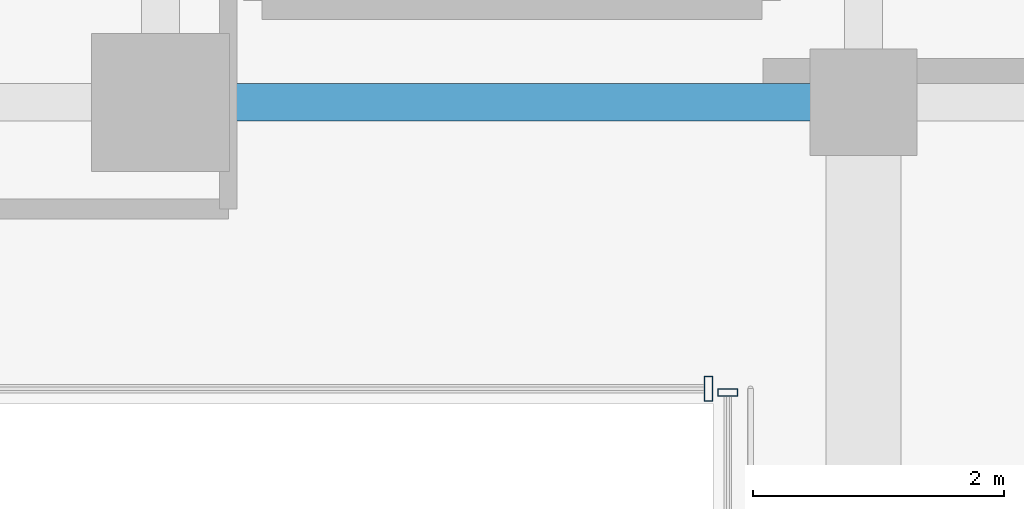
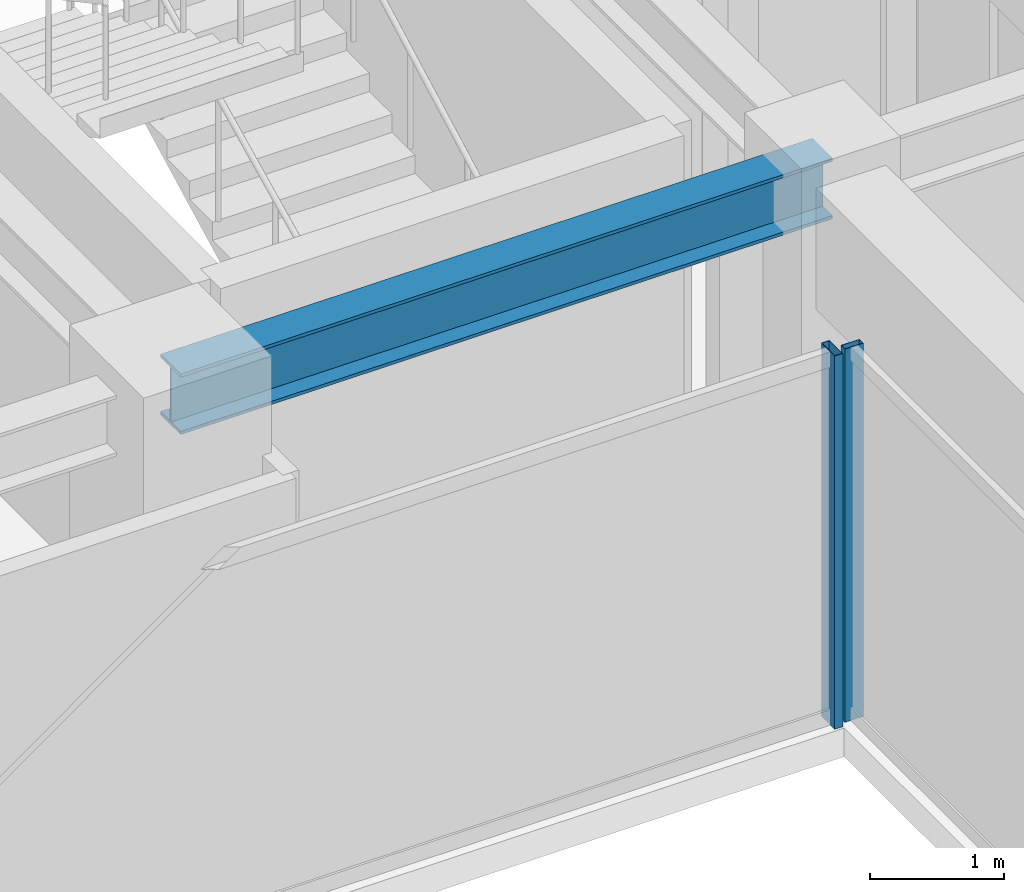
# One storey, part 13 of 41: 2 members, 1 beam, 2 elements without a shape of their own.
"""IFC4 building model written with IfcOpenShell, lengths in metres."""

from ifc_helpers import new_model, si_unit, direction, frame, origin, origin_2d, place, context, subcontext, project, spatial, hollow_rectangle, i_section, extrude, source, transform, mapped, material, material_profile, profile_set, type_object, element, aggregate, save


model = new_model("IFC4")

# Units and contexts
model_context = context("Model", 3, precision=1e-05, world=origin(), true_north=direction((0.0, 1.0)))
body_context = subcontext(model_context, "Body", "Model", "MODEL_VIEW")
ifc_project = project(units=[si_unit("LENGTHUNIT", "METRE"), si_unit("AREAUNIT", "SQUARE_METRE"), si_unit("VOLUMEUNIT", "CUBIC_METRE"), si_unit("PLANEANGLEUNIT", "RADIAN"), si_unit("MASSUNIT", "GRAM", prefix="KILO")], contexts=[model_context])

# Site, building, storey
site_placement = place(None, origin())
site = spatial("IfcSite", under=ifc_project, at=site_placement, CompositionType="ELEMENT")
building_placement = place(site_placement, origin())
building = spatial("IfcBuilding", under=site, at=building_placement, Name="Nahalor Promenade Grand Hotel", CompositionType="ELEMENT")
storey_placement = place(building_placement, frame((0.0, 0.0, 159.949951171875)))
storey = spatial("IfcBuildingStorey", under=building, at=storey_placement, Name="L40", CompositionType="ELEMENT", Elevation=159.949951171875)

# Beam
ifc_material_1 = material(Name="Steel S355JR", Category="steel")
ifc_material_profile_1 = material_profile(ifc_material_1, i_section(OverallWidth=0.3, OverallDepth=0.55, WebThickness=0.015, FlangeThickness=0.029, at=origin_2d()), Name="HEB 550")
ifc_profile_set_1 = profile_set([ifc_material_profile_1], Name="Steel S355JR")
beam_type = type_object("IfcBeamType", Name="Beam-Girder-HEB550", PredefinedType="BEAM", material=ifc_profile_set_1)
shared_shape_1 = source(origin(), body_context, "Body", "SweptSolid", [
    extrude(i_section(OverallWidth=0.3, OverallDepth=0.55, WebThickness=0.015, FlangeThickness=0.029, at=origin_2d()), origin(), (0.0, 0.0, 1.0), 5.599853515625),
])
beam_placement = place(storey_placement, frame((2.800048828125, 5.39990234375, 3.114990234375), z_axis=(1.0, 0.0, 0.0), x_axis=(0.0, 1.0, 0.0)))
element("IfcBeam", 1, at=beam_placement, inside=storey, type_object=beam_type, Name="BM-L40-GX-2-4", PredefinedType="BEAM", context=body_context, shape_type="MappedRepresentation", body=[
    mapped(shared_shape_1, transform((0.0, 0.0, 0.0), scale=1.0)),
])

# Curtain wall, member
ifc_material_2 = material(Name="Anodised Bronze Aluminium EN AW-6063 T6", Category="aluminium")
curtain_wall_type_1 = type_object("IfcCurtainWallType", Name="CW3 Elliptical-Void Collar Unitised Curtain Wall", PredefinedType="USERDEFINED", material=ifc_material_2)
curtain_wall_1_placement = place(storey_placement, origin())
curtain_wall_1 = element("IfcCurtainWall", 2, at=curtain_wall_1_placement, inside=storey, type_object=curtain_wall_type_1, Name="L40 Curtain Wall CW-L40-VOID-WN1", ObjectType="UNITISED_CURTAIN_WALL", PredefinedType="USERDEFINED")
ifc_material_profile_2 = material_profile(ifc_material_2, hollow_rectangle(XDim=0.07, YDim=0.2, WallThickness=0.005, at=origin_2d()), Name="CWM 70x200x5")
ifc_profile_set_2 = profile_set([ifc_material_profile_2], Name="Anodised Bronze Aluminium EN AW-6063 T6")
member_type_1 = type_object("IfcMemberType", Name="CWM3 Void Collar Mullion 70x200", PredefinedType="MULLION", material=ifc_profile_set_2)
shared_shape_2 = source(origin(), body_context, "Body", "SweptSolid", [
    extrude(hollow_rectangle(XDim=0.07, YDim=0.2, WallThickness=0.005, at=origin_2d()), origin(), (0.0, 0.0, 1.0), 3.39013671875),
])
member_1_placement = place(storey_placement, frame((7.1650390625, 3.118896484375, 0.0), z_axis=(0.0, 0.0, 1.0), x_axis=(1.0, 0.0, 0.0)))
member_1 = element("IfcMember", 3, at=member_1_placement, type_object=member_type_1, Name="CW-L40-VOID-WN1 Mullion 3", PredefinedType="MULLION", context=body_context, shape_type="MappedRepresentation", body=[
    mapped(shared_shape_2, transform((0.0, 0.0, 0.0), scale=1.0)),
])
aggregate(curtain_wall_1, [member_1])

curtain_wall_type_2 = type_object("IfcCurtainWallType", Name="CW4 Low-Iron Sky-Gallery Bridge Curtain Wall", PredefinedType="USERDEFINED", material=ifc_material_2)
curtain_wall_2_placement = place(storey_placement, origin())
curtain_wall_2 = element("IfcCurtainWall", 4, at=curtain_wall_2_placement, inside=storey, type_object=curtain_wall_type_2, Name="L40 Curtain Wall CW-L40-BRG-W", ObjectType="UNITISED_CURTAIN_WALL", PredefinedType="USERDEFINED")
ifc_material_profile_3 = material_profile(ifc_material_2, hollow_rectangle(XDim=0.06, YDim=0.16, WallThickness=0.004, at=origin_2d()), Name="CWM 60x160x4")
ifc_profile_set_3 = profile_set([ifc_material_profile_3], Name="Anodised Bronze Aluminium EN AW-6063 T6")
member_type_2 = type_object("IfcMemberType", Name="CWM4 Sky-Gallery Slim Mullion 60x160", PredefinedType="MULLION", material=ifc_profile_set_3)
shared_shape_3 = source(origin(), body_context, "Body", "SweptSolid", [
    extrude(hollow_rectangle(XDim=0.06, YDim=0.16, WallThickness=0.004, at=origin_2d()), origin(), (0.0, 0.0, 1.0), 3.39013671875),
])
member_2_placement = place(storey_placement, frame((7.320068359375, 3.089111328125, 0.0), z_axis=(0.0, 0.0, 1.0), x_axis=(0.0, 1.0, 0.0)))
member_2 = element("IfcMember", 5, at=member_2_placement, type_object=member_type_2, Name="CW-L40-BRG-W Mullion 1", PredefinedType="MULLION", context=body_context, shape_type="MappedRepresentation", body=[
    mapped(shared_shape_3, transform((0.0, 0.0, 0.0), scale=1.0)),
])
aggregate(curtain_wall_2, [member_2])

save(model, "model.ifc")
